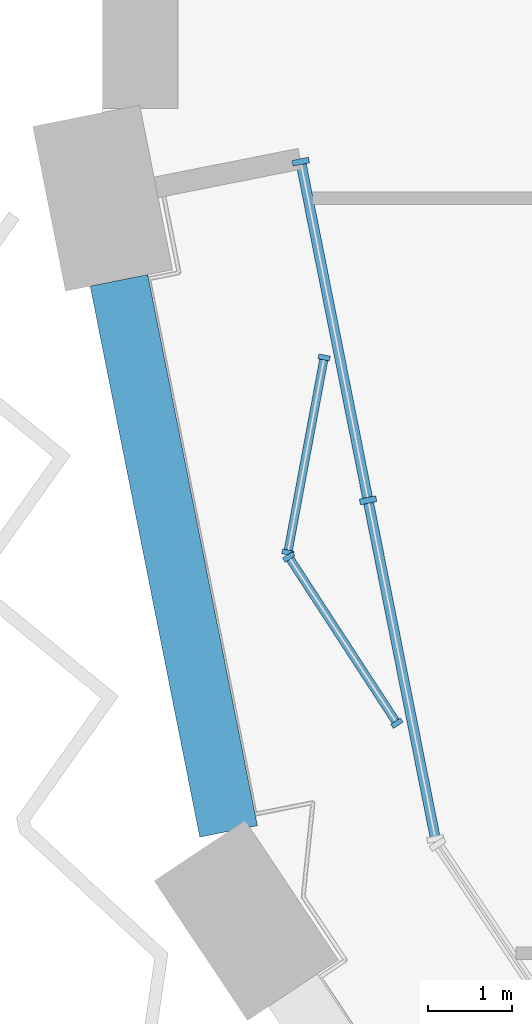
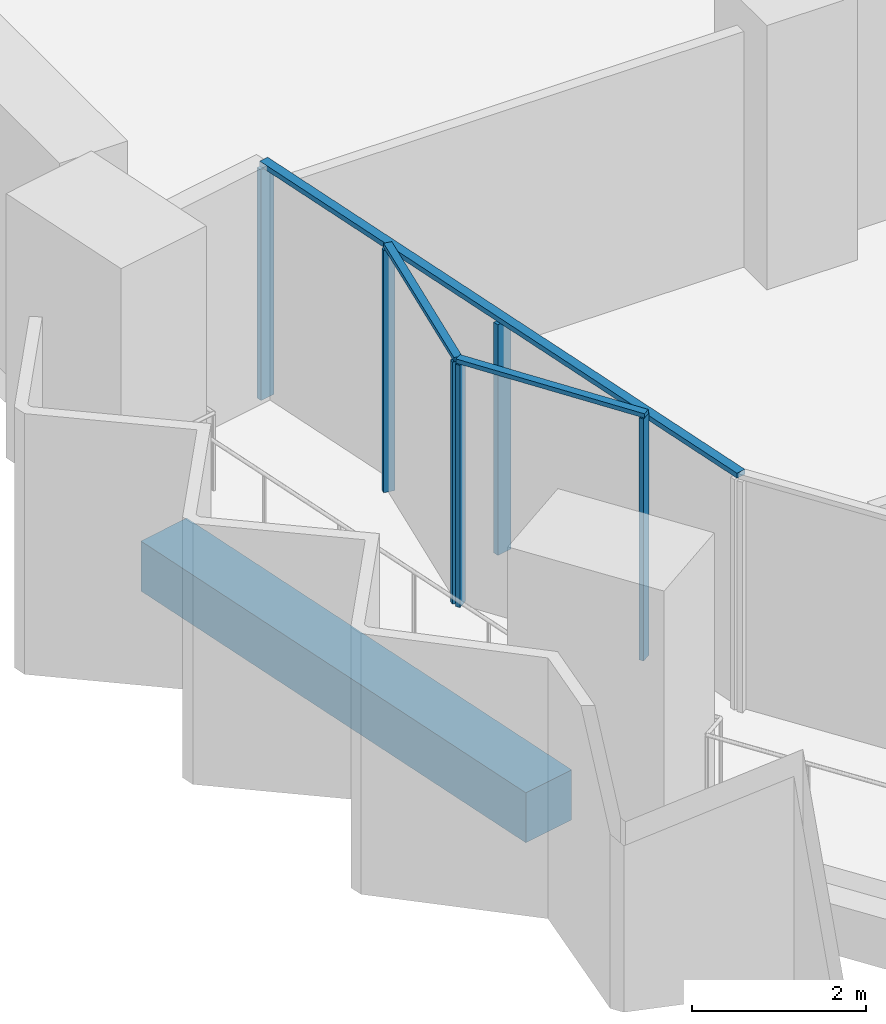
# One storey, part 3 of 23: 9 members, 1 beam, 3 elements without a shape of their own.
"""IFC4 building model written with IfcOpenShell, lengths in metres."""

from ifc_helpers import new_model, si_unit, direction, frame, origin, origin_2d, place, context, subcontext, project, spatial, rectangle, extrude, material, material_profile, profile_set, type_object, element, aggregate, save


model = new_model("IFC4")

# Units and contexts
model_context = context("Model", 3, precision=1e-05, world=origin(), true_north=direction((0.0, 1.0)))
body_context = subcontext(model_context, "Body", "Model", "MODEL_VIEW")
ifc_project = project(units=[si_unit("LENGTHUNIT", "METRE"), si_unit("AREAUNIT", "SQUARE_METRE"), si_unit("VOLUMEUNIT", "CUBIC_METRE"), si_unit("PLANEANGLEUNIT", "RADIAN"), si_unit("MASSUNIT", "GRAM", prefix="KILO")], contexts=[model_context])

# Site, building, storey
site_placement = place(None, origin())
site = spatial("IfcSite", under=ifc_project, at=site_placement, CompositionType="ELEMENT")
building_placement = place(site_placement, origin())
building = spatial("IfcBuilding", under=site, at=building_placement, Name="Hunhe Ridgeline Campus", CompositionType="ELEMENT")
storey_placement = place(building_placement, frame((0.0, 0.0, 167.10009765625)))
storey = spatial("IfcBuildingStorey", under=building, at=storey_placement, Name="L42", CompositionType="ELEMENT", Elevation=167.10009765625)

# Curtain wall, members
ifc_material_1 = material(Name="Aluminium 6063", Category="aluminium")
curtain_wall_type_1 = type_object("IfcCurtainWallType", Name="Curtain wall CW-2", PredefinedType="NOTDEFINED", material=ifc_material_1)
curtain_wall_1_placement = place(storey_placement, origin())
curtain_wall_1 = element("IfcCurtainWall", 1, at=curtain_wall_1_placement, inside=storey, type_object=curtain_wall_type_1, Name="Curtain wall B01a", PredefinedType="NOTDEFINED")
ifc_material_profile_1 = material_profile(ifc_material_1, rectangle(XDim=0.139892578125, YDim=0.06005859375, at=origin_2d()))
ifc_profile_set_1 = profile_set([ifc_material_profile_1], Name="Aluminium 6063")
member_type_1 = type_object("IfcMemberType", Name="CW-2 aluminium mullion", PredefinedType="MULLION", material=ifc_profile_set_1)
member_1_placement = place(storey_placement, frame((2.64111328125, 25.100341796875, 0.0), z_axis=(0.0, 0.0, 1.0), x_axis=(0.983091954213, -0.183112559813, 0.0)))
member_1 = element("IfcMember", 2, at=member_1_placement, type_object=member_type_1, Name="CW-2 mullion 1", PredefinedType="MULLION", context=body_context, shape_type="SweptSolid", body=[
    extrude(rectangle(XDim=0.139892578125, YDim=0.06005859375, at=origin_2d()), origin(), (0.0, 0.0, 1.0), 3.389892578125),
])
member_2_placement = place(storey_placement, frame((2.20849609375, 22.77685546875, 0.0), z_axis=(0.0, 0.0, 1.0), x_axis=(0.983091954213, -0.183112559813, 0.0)))
member_2 = element("IfcMember", 3, at=member_2_placement, type_object=member_type_1, Name="CW-2 mullion 2", PredefinedType="MULLION", context=body_context, shape_type="SweptSolid", body=[
    extrude(rectangle(XDim=0.139892578125, YDim=0.06005859375, at=origin_2d()), origin(), (0.0, 0.0, 1.0), 3.389892578125),
])

curtain_wall_2_placement = place(storey_placement, origin())
curtain_wall_2 = element("IfcCurtainWall", 4, at=curtain_wall_2_placement, inside=storey, type_object=curtain_wall_type_1, Name="Curtain wall B01b", PredefinedType="NOTDEFINED")
member_3_placement = place(storey_placement, frame((2.21923828125, 22.722412109375, 0.0), z_axis=(0.0, 0.0, 1.0), x_axis=(0.838178845176, 0.545395474403, 0.0)))
member_3 = element("IfcMember", 5, at=member_3_placement, type_object=member_type_1, Name="CW-2 mullion 1", PredefinedType="MULLION", context=body_context, shape_type="SweptSolid", body=[
    extrude(rectangle(XDim=0.139892578125, YDim=0.06005859375, at=origin_2d()), origin(), (0.0, 0.0, 1.0), 3.389892578125),
])
member_4_placement = place(storey_placement, frame((3.50830078125, 20.741455078125, 0.0), z_axis=(0.0, 0.0, 1.0), x_axis=(0.838178845176, 0.545395474403, 0.0)))
member_4 = element("IfcMember", 6, at=member_4_placement, type_object=member_type_1, Name="CW-2 mullion 2", PredefinedType="MULLION", context=body_context, shape_type="SweptSolid", body=[
    extrude(rectangle(XDim=0.139892578125, YDim=0.06005859375, at=origin_2d()), origin(), (0.0, 0.0, 1.0), 3.389892578125),
])

# Member
ifc_material_profile_2 = material_profile(ifc_material_1, rectangle(XDim=0.10009765625, YDim=0.06005859375, at=origin_2d()))
ifc_profile_set_2 = profile_set([ifc_material_profile_2], Name="Aluminium 6063")
member_type_2 = type_object("IfcMemberType", Name="CW-2 aluminium transom", PredefinedType="USERDEFINED", material=ifc_profile_set_2)
member_5_placement = place(storey_placement, frame((2.646728515625, 25.1298828125, 3.419921875), z_axis=(-0.183157011524, -0.983083673514, 0.0), x_axis=(0.983083673514, -0.183157011524, 0.0)))
member_5 = element("IfcMember", 7, at=member_5_placement, type_object=member_type_2, Name="CW-2 transom 1", ObjectType="TRANSOM", PredefinedType="USERDEFINED", context=body_context, shape_type="SweptSolid", body=[
    extrude(rectangle(XDim=0.10009765625, YDim=0.06005859375, at=origin_2d()), origin(), (0.0, 0.0, 1.0), 2.42333984375),
])

aggregate(curtain_wall_1, [member_5, member_1, member_2])

member_6_placement = place(storey_placement, frame((2.202880859375, 22.74755859375, 3.419921875), z_axis=(0.54541319982, -0.838167311139, 0.0), x_axis=(0.838167311139, 0.54541319982, 0.0)))
member_6 = element("IfcMember", 8, at=member_6_placement, type_object=member_type_2, Name="CW-2 transom 1", ObjectType="TRANSOM", PredefinedType="USERDEFINED", context=body_context, shape_type="SweptSolid", body=[
    extrude(rectangle(XDim=0.10009765625, YDim=0.06005859375, at=origin_2d()), origin(), (0.0, 0.0, 1.0), 2.42333984375),
])

aggregate(curtain_wall_2, [member_6, member_3, member_4])

# Curtain wall, members
curtain_wall_type_2 = type_object("IfcCurtainWallType", Name="Curtain wall CW-5", PredefinedType="NOTDEFINED", material=ifc_material_1)
curtain_wall_3_placement = place(storey_placement, origin())
curtain_wall_3 = element("IfcCurtainWall", 9, at=curtain_wall_3_placement, inside=storey, type_object=curtain_wall_type_2, Name="Curtain wall 01", PredefinedType="NOTDEFINED")
ifc_material_profile_3 = material_profile(ifc_material_1, rectangle(XDim=0.199951171875, YDim=0.070068359375, at=origin_2d()))
ifc_profile_set_3 = profile_set([ifc_material_profile_3], Name="Aluminium 6063")
member_type_3 = type_object("IfcMemberType", Name="CW-5 aluminium mullion", PredefinedType="MULLION", material=ifc_profile_set_3)
member_7_placement = place(storey_placement, frame((2.361572265625, 27.434326171875, 0.0), z_axis=(0.0, 0.0, 1.0), x_axis=(0.980784280831, 0.195095347137, 0.0)))
member_7 = element("IfcMember", 10, at=member_7_placement, type_object=member_type_3, Name="CW-5 mullion 1", PredefinedType="MULLION", context=body_context, shape_type="SweptSolid", body=[
    extrude(rectangle(XDim=0.199951171875, YDim=0.070068359375, at=origin_2d()), origin(), (0.0, 0.0, 1.0), 3.22998046875),
])
member_8_placement = place(storey_placement, frame((3.16455078125, 23.3974609375, 0.0), z_axis=(0.0, 0.0, 1.0), x_axis=(0.980784280831, 0.195095347137, 0.0)))
member_8 = element("IfcMember", 11, at=member_8_placement, type_object=member_type_3, Name="CW-5 mullion 2", PredefinedType="MULLION", context=body_context, shape_type="SweptSolid", body=[
    extrude(rectangle(XDim=0.199951171875, YDim=0.070068359375, at=origin_2d()), origin(), (0.0, 0.0, 1.0), 3.22998046875),
])
ifc_material_profile_4 = material_profile(ifc_material_1, rectangle(XDim=0.1201171875, YDim=0.070068359375, at=origin_2d()))
ifc_profile_set_4 = profile_set([ifc_material_profile_4], Name="Aluminium 6063")
member_type_4 = type_object("IfcMemberType", Name="CW-5 aluminium transom", PredefinedType="USERDEFINED", material=ifc_profile_set_4)
member_9_placement = place(storey_placement, frame((2.354736328125, 27.46875, 3.264892578125), z_axis=(0.195092405068, -0.980784866056, 0.0), x_axis=(0.980784866056, 0.195092405068, 0.0)))
member_9 = element("IfcMember", 12, at=member_9_placement, type_object=member_type_4, Name="CW-5 transom 1", ObjectType="TRANSOM", PredefinedType="USERDEFINED", context=body_context, shape_type="SweptSolid", body=[
    extrude(rectangle(XDim=0.1201171875, YDim=0.070068359375, at=origin_2d()), origin(), (0.0, 0.0, 1.0), 8.3017578125),
])
aggregate(curtain_wall_3, [member_9, member_7, member_8])

# Beam
ifc_material_2 = material(Name="Concrete C60", Category="concrete")
ifc_material_profile_5 = material_profile(ifc_material_2, rectangle(XDim=0.699951171875, YDim=0.699951171875, at=origin_2d()))
ifc_profile_set_5 = profile_set([ifc_material_profile_5], Name="Concrete C60")
beam_type = type_object("IfcBeamType", Name="RC spandrel beam 700x700 Concrete C60", PredefinedType="SPANDREL", material=ifc_profile_set_5)
beam_placement = place(storey_placement, frame((0.195068359375, 26.019287109375, -0.60009765625), z_axis=(0.195078418929, -0.980787647999, 0.0), x_axis=(0.980787647999, 0.195078418929, 0.0)))
element("IfcBeam", 13, at=beam_placement, inside=storey, type_object=beam_type, Name="Spandrel beam B2-1 L42", PredefinedType="SPANDREL", context=body_context, shape_type="SweptSolid", body=[
    extrude(rectangle(XDim=0.699951171875, YDim=0.699951171875, at=origin_2d()), origin(), (0.0, 0.0, 1.0), 6.69677734375),
])

save(model, "model.ifc")
